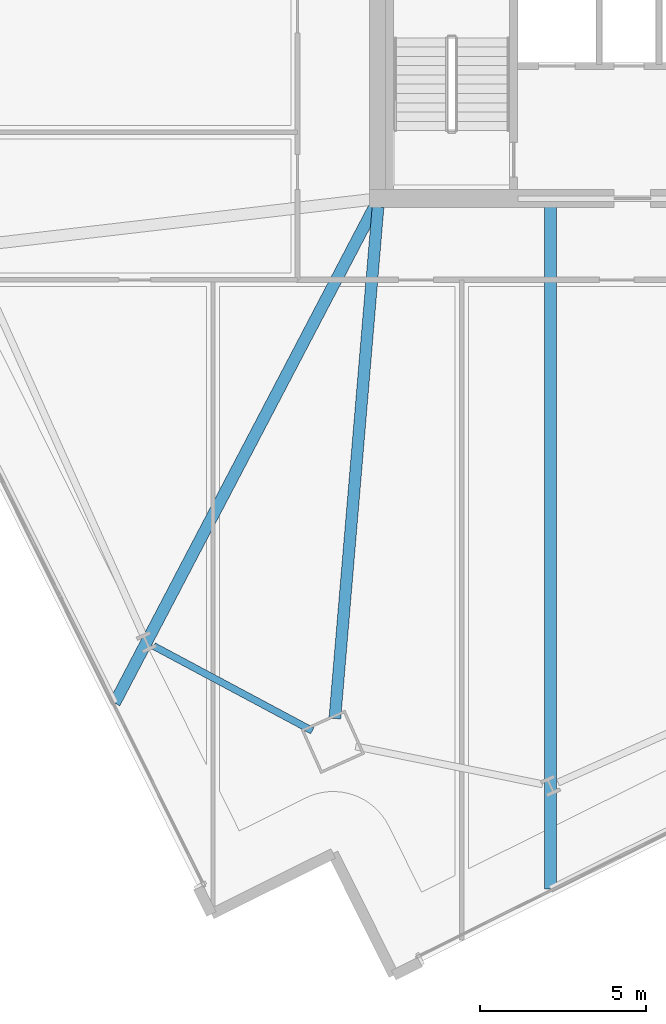
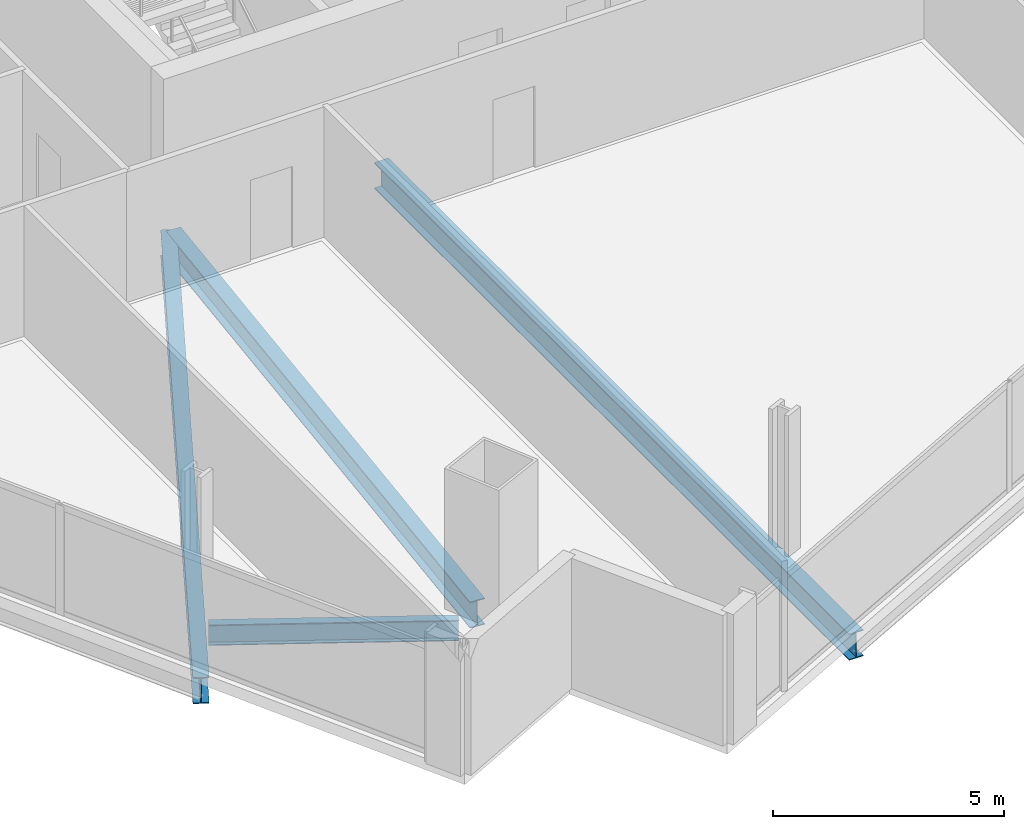
# One storey, part 4 of 35: 4 beams.
"""IFC4 building model written with IfcOpenShell, lengths in metres."""

import ifcopenshell
import ifcopenshell.guid

model = None  # the IFC model being written
_history = None  # IfcOwnerHistory: only IFC2X3 demands one
_inside = {}  # id of a spatial element -> (the spatial element, [elements in it])
_under = {}  # id of a project, library or spatial element -> (it, [spatial elements below it])
_declared = {}  # id of a project -> (the project, [libraries it declares])
_typed = {}  # id of a type object -> (the type object, [elements of that type])
_made_of = {}  # id of a material, layer set ... -> (it, [elements and type objects made of it])


def new_model(schema):
    """Start an empty IFC model of exactly this schema.

    Asked for "IFC4X3", IfcOpenShell would pick the latest addendum, in which some entities
    have other attributes; the version numbers below select the first issue.
    IFC2X3 requires an IfcOwnerHistory on every rooted entity: one is made here for all.
    """
    global model, _history
    if schema == "IFC4X3":
        model = ifcopenshell.file(schema_version=(4, 3, 0, 0))
    else:
        model = ifcopenshell.file(schema=schema)
    _inside.clear()
    _under.clear()
    _declared.clear()
    _typed.clear()
    _made_of.clear()
    _history = None
    if model.schema == "IFC2X3":
        org = make("IfcOrganization", Name="unknown")
        user = make(
            "IfcPersonAndOrganization",
            ThePerson=make("IfcPerson", FamilyName="unknown"),
            TheOrganization=org,
        )
        app = make(
            "IfcApplication",
            ApplicationDeveloper=org,
            Version="unknown",
            ApplicationFullName="unknown",
            ApplicationIdentifier="unknown",
        )
        _history = make(
            "IfcOwnerHistory",
            OwningUser=user,
            OwningApplication=app,
            ChangeAction="ADDED",
            CreationDate=0,
        )
    return model


def make(cls, **values):
    """One entity of the class cls with the attributes given. An attribute that is None is left unset."""
    return model.create_entity(
        cls, **{name: value for name, value in values.items() if value is not None}
    )


def rooted(cls, **values):
    """An entity with a GlobalId (a new one), such as an element, a storey or a relation."""
    return make(cls, GlobalId=ifcopenshell.guid.new(), OwnerHistory=_history, **values)


def si_unit(unit_type, name, prefix=None):
    """IfcSIUnit, for example si_unit("LENGTHUNIT", "METRE", prefix="MILLI")."""
    return make("IfcSIUnit", UnitType=unit_type, Prefix=prefix, Name=name)


def assignment(units):
    """IfcUnitAssignment: the units of a project."""
    return None if units is None else make("IfcUnitAssignment", Units=units)


def point(xyz):
    """IfcCartesianPoint."""
    return None if xyz is None else make("IfcCartesianPoint", Coordinates=xyz)


def direction(xyz):
    """IfcDirection."""
    return None if xyz is None else make("IfcDirection", DirectionRatios=xyz)


def frame(location, z_axis=None, x_axis=None):
    """IfcAxis2Placement3D, a coordinate frame: its origin and axes. An axis left out is left unset."""
    return make(
        "IfcAxis2Placement3D",
        Location=point(location),
        Axis=direction(z_axis),
        RefDirection=direction(x_axis),
    )


def frame_2d(location, x_axis=None):
    """IfcAxis2Placement2D, a coordinate frame in the plane: its origin and x axis."""
    return make(
        "IfcAxis2Placement2D", Location=point(location), RefDirection=direction(x_axis)
    )


def origin():
    """The frame at (0, 0, 0) with its axes left unset."""
    return frame((0.0, 0.0, 0.0))


def origin_2d():
    """The frame at (0, 0) in the plane with its x axis left unset."""
    return frame_2d((0.0, 0.0))


def place(relative_to, where):
    """IfcLocalPlacement: puts the frame where relative to a parent placement (None: the world)."""
    return make(
        "IfcLocalPlacement", PlacementRelTo=relative_to, RelativePlacement=where
    )


def context(
    kind, dimensions, precision=None, world=None, true_north=None, identifier=None
):
    """IfcGeometricRepresentationContext, for example the 3D "Model" context."""
    return make(
        "IfcGeometricRepresentationContext",
        ContextIdentifier=identifier,
        ContextType=kind,
        CoordinateSpaceDimension=dimensions,
        Precision=precision,
        WorldCoordinateSystem=world,
        TrueNorth=true_north,
    )


def subcontext(parent, identifier, kind, view, scale=None):
    """IfcGeometricRepresentationSubContext, for example "Body" below "Model"."""
    return make(
        "IfcGeometricRepresentationSubContext",
        ContextIdentifier=identifier,
        ContextType=kind,
        ParentContext=parent,
        TargetScale=scale,
        TargetView=view,
    )


def project(units=None, contexts=None):
    """IfcProject with its units and contexts."""
    return rooted(
        "IfcProject",
        Name="project",
        RepresentationContexts=contexts,
        UnitsInContext=assignment(units),
    )


def spatial(cls, under=None, at=None, **own):
    """A site, building, storey or space (cls), placed at a placement, below another one or the project."""
    s = rooted(cls, ObjectPlacement=at, **own)
    if under is not None:
        _under.setdefault(under.id(), (under, []))[1].append(s)
    return s


def profile(cls, at=None, kind="AREA", **sizes):
    """A parametric profile (cls). Its sizes go by their IFC names, for example OverallWidth=200.0."""
    return make(cls, ProfileType=kind, Position=at, **sizes)


def i_section(**sizes):
    """IfcIShapeProfileDef."""
    return profile("IfcIShapeProfileDef", **sizes)


def extrude(swept, where, along, depth):
    """IfcExtrudedAreaSolid: the profile swept, set in the frame where, extruded along a direction by depth."""
    return make(
        "IfcExtrudedAreaSolid",
        SweptArea=swept,
        Position=where,
        ExtrudedDirection=direction(along),
        Depth=depth,
    )


def shape(context_of_items, identifier, shape_type, items):
    """IfcShapeRepresentation: the items that make up one representation, for example the "Body"."""
    return make(
        "IfcShapeRepresentation",
        ContextOfItems=context_of_items,
        RepresentationIdentifier=identifier,
        RepresentationType=shape_type,
        Items=items,
    )


def material(Name=None, Category=None):
    """IfcMaterial."""
    return make("IfcMaterial", Name=Name, Category=Category)


def material_profile(
    of_material, cross_section, Name=None, Category=None, Priority=None
):
    """IfcMaterialProfile: a cross section and its material."""
    return make(
        "IfcMaterialProfile",
        Name=Name,
        Material=of_material,
        Profile=cross_section,
        Priority=Priority,
        Category=Category,
    )


def profile_set(profiles, Name=None, composite=None):
    """IfcMaterialProfileSet."""
    return make(
        "IfcMaterialProfileSet",
        Name=Name,
        MaterialProfiles=profiles,
        CompositeProfile=composite,
    )


def made_of(thing, what):
    """Note that an element or type object is made of a material, layer set ...; save() writes the relation."""
    if what is not None:
        _made_of.setdefault(what.id(), (what, []))[1].append(thing)
    return thing


def type_object(cls, material=None, **own):
    """A type object (cls), such as IfcWallType, which elements share."""
    return made_of(rooted(cls, **own), material)


def element(
    cls,
    number,
    at=None,
    inside=None,
    cuts=None,
    type_object=None,
    material=None,
    context=None,
    identifier="Body",
    shape_type=None,
    held_by="IfcProductDefinitionShape",
    body=None,
    shapes=None,
    **own,
):
    """One element of the class cls, such as IfcWall. Its Tag is "e" and its number.

    at: its placement. inside: the storey or other place that contains it. cuts: it is an
    opening in that element (IfcRelVoidsElement). A single representation is given by context,
    identifier, shape_type and body (its items); several are given by shapes. held_by: the class
    of the entity that holds the representations. save() writes the other relations.
    """
    e = rooted(cls, Tag="e%d" % number, ObjectPlacement=at, **own)
    if body is not None:
        shapes = [shape(context, identifier, shape_type, body)]
    if shapes is not None:
        e.Representation = make(held_by, Representations=shapes)
    if inside is not None:
        _inside.setdefault(inside.id(), (inside, []))[1].append(e)
    if cuts is not None:
        rooted(
            "IfcRelVoidsElement", RelatingBuildingElement=cuts, RelatedOpeningElement=e
        )
    if type_object is not None:
        _typed.setdefault(type_object.id(), (type_object, []))[1].append(e)
    return made_of(e, material)


def aggregate(whole, parts):
    """IfcRelAggregates: a whole, such as a stair, and the parts it consists of."""
    return rooted("IfcRelAggregates", RelatingObject=whole, RelatedObjects=parts)


def save(model, path):
    """Write the relations noted so far, then the file.

    IfcRelAggregates (storeys below a building ...), IfcRelContainedInSpatialStructure (elements
    in a storey), IfcRelDefinesByType, IfcRelAssociatesMaterial and IfcRelDeclares: one each for
    every whole, place, type object, material and project.
    """
    for whole, parts in _under.values():
        aggregate(whole, parts)
    for where, things in _inside.values():
        rooted(
            "IfcRelContainedInSpatialStructure",
            RelatedElements=things,
            RelatingStructure=where,
        )
    for kind, things in _typed.values():
        rooted("IfcRelDefinesByType", RelatedObjects=things, RelatingType=kind)
    for what, things in _made_of.values():
        rooted("IfcRelAssociatesMaterial", RelatedObjects=things, RelatingMaterial=what)
    for by, libraries in _declared.values():
        rooted("IfcRelDeclares", RelatingContext=by, RelatedDefinitions=libraries)
    model.write(path)


model = new_model("IFC4")

# Units and contexts
model_context = context("Model", 3, precision=1e-05, world=origin(), true_north=direction((0.0, 1.0)))
body_context = subcontext(model_context, "Body", "Model", "MODEL_VIEW")
ifc_project = project(units=[si_unit("LENGTHUNIT", "METRE"), si_unit("AREAUNIT", "SQUARE_METRE"), si_unit("VOLUMEUNIT", "CUBIC_METRE"), si_unit("PLANEANGLEUNIT", "RADIAN"), si_unit("MASSUNIT", "GRAM", prefix="KILO")], contexts=[model_context])

# Site, building, storey
site_placement = place(None, origin())
site = spatial("IfcSite", under=ifc_project, at=site_placement, CompositionType="ELEMENT")
building_placement = place(site_placement, origin())
building = spatial("IfcBuilding", under=site, at=building_placement, Name="Haldenkirk Collegiate Tower", CompositionType="ELEMENT")
storey_placement = place(building_placement, frame((0.0, 0.0, 116.699951171875)))
storey = spatial("IfcBuildingStorey", under=building, at=storey_placement, Name="L28", CompositionType="ELEMENT", Elevation=116.699951171875)

# Beams
ifc_material = material(Name="Steel ASTM A992 Grade 50", Category="steel")
ifc_material_profile_1 = material_profile(ifc_material, i_section(OverallWidth=0.35498046875, OverallDepth=0.696044921875, WebThickness=0.015380859375, FlangeThickness=0.02490234375, at=origin_2d()), Name="W27X146")
ifc_profile_set_1 = profile_set([ifc_material_profile_1], Name="Steel ASTM A992 Grade 50")
beam_type_1 = type_object("IfcBeamType", Name="BM-GIRDER-W27X146", PredefinedType="BEAM", material=ifc_profile_set_1)
beam_1_placement = place(storey_placement, frame((25.67578125, 2.3203125, -0.64794921875), z_axis=(0.084153524607, 0.996452800837, 0.0), x_axis=(-0.996452800837, 0.084153524607, 0.0)))
element("IfcBeam", 1, at=beam_1_placement, inside=storey, type_object=beam_type_1, Name="L28 primary floor girder 01", PredefinedType="BEAM", context=body_context, shape_type="SweptSolid", body=[
    extrude(i_section(OverallWidth=0.35498046875, OverallDepth=0.696044921875, WebThickness=0.015380859375, FlangeThickness=0.02490234375, at=origin_2d()), origin(), (0.0, 0.0, 1.0), 15.48046875),
])
beam_2_placement = place(storey_placement, frame((32.181396484375, -2.822998046875, -0.64794921875), z_axis=(0.0, 1.0, 0.0), x_axis=(-1.0, 0.0, 0.0)))
element("IfcBeam", 2, at=beam_2_placement, inside=storey, type_object=beam_type_1, Name="L28 primary floor girder 05", PredefinedType="BEAM", context=body_context, shape_type="SweptSolid", body=[
    extrude(i_section(OverallWidth=0.35498046875, OverallDepth=0.696044921875, WebThickness=0.015380859375, FlangeThickness=0.02490234375, at=origin_2d()), origin(), (0.0, 0.0, 1.0), 20.568115234375),
])
beam_3_placement = place(storey_placement, frame((19.034423828125, 2.784912109375, -0.64794921875), z_axis=(0.463805323738, 0.885937143184, 0.0), x_axis=(-0.885937143184, 0.463805323738, 0.0)))
element("IfcBeam", 3, at=beam_3_placement, inside=storey, type_object=beam_type_1, Name="L28 primary floor girder 16", PredefinedType="BEAM", context=body_context, shape_type="SweptSolid", body=[
    extrude(i_section(OverallWidth=0.35498046875, OverallDepth=0.696044921875, WebThickness=0.015380859375, FlangeThickness=0.02490234375, at=origin_2d()), origin(), (0.0, 0.0, 1.0), 16.919189453125),
])
ifc_material_profile_2 = material_profile(ifc_material, i_section(OverallWidth=0.2119140625, OverallDepth=0.5439453125, WebThickness=0.01318359375, FlangeThickness=0.021240234375, at=origin_2d()), Name="W21X83")
ifc_profile_set_2 = profile_set([ifc_material_profile_2], Name="Steel ASTM A992 Grade 50")
beam_type_2 = type_object("IfcBeamType", Name="BM-SPANDREL-W21X83", PredefinedType="SPANDREL", material=ifc_profile_set_2)
beam_4_placement = place(storey_placement, frame((20.21240234375, 4.505615234375, -0.572021484375), z_axis=(0.881987493029, -0.471272810737, 0.0), x_axis=(0.471272810737, 0.881987493029, 0.0)))
element("IfcBeam", 4, at=beam_4_placement, inside=storey, type_object=beam_type_2, Name="L28 perimeter spandrel beam 16", PredefinedType="SPANDREL", context=body_context, shape_type="SweptSolid", body=[
    extrude(i_section(OverallWidth=0.2119140625, OverallDepth=0.5439453125, WebThickness=0.01318359375, FlangeThickness=0.021240234375, at=origin_2d()), origin(), (0.0, 0.0, 1.0), 5.42236328125),
])

save(model, "model.ifc")
